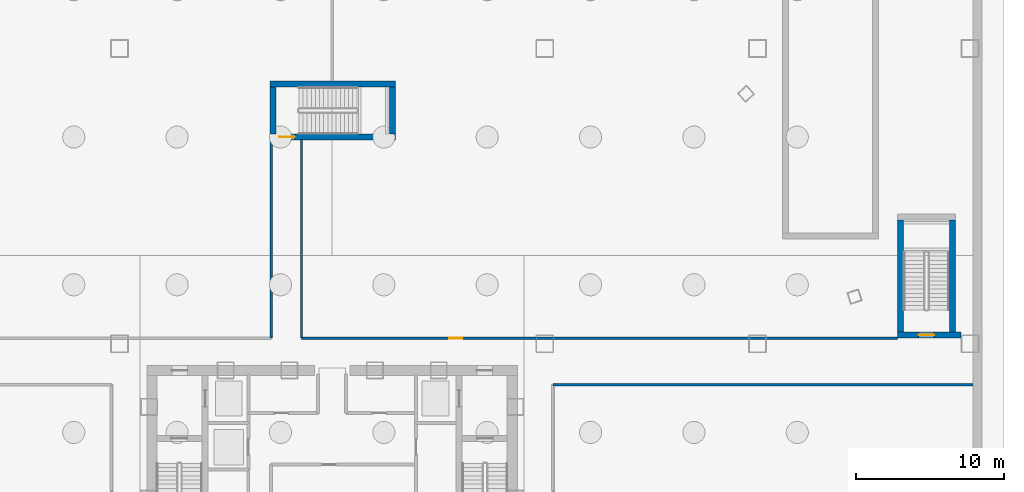
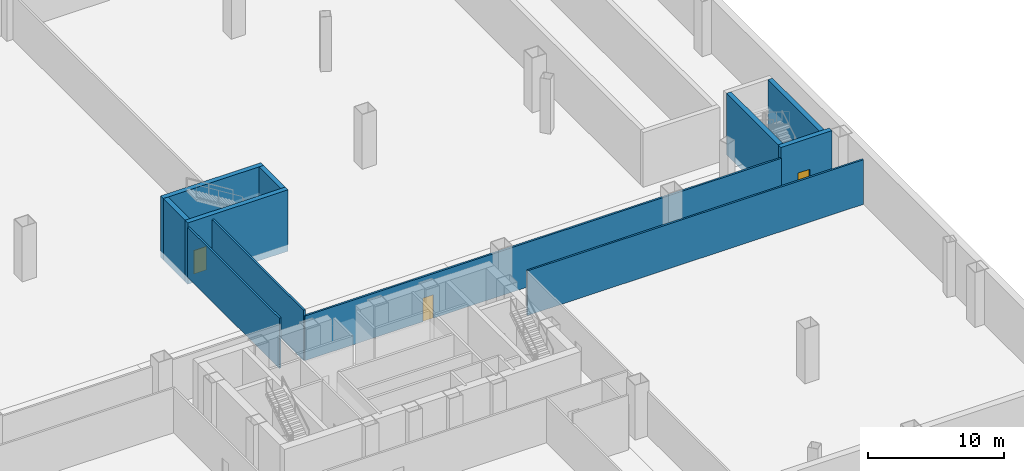
# One storey, part 10 of 15: 11 walls, 3 doors, 3 openings.
"""IFC4 building model written with IfcOpenShell, lengths in metres."""

from ifc_helpers import new_model, si_unit, direction, frame, frame_2d, origin, origin_with_axes, place, context, subcontext, project, spatial, rectangle, extrude, source, transform, mapped, material, layer, layer_set, type_object, element, fill, save


model = new_model("IFC4")

# Units and contexts
model_context = context("Model", 3, precision=1e-05, world=origin(), true_north=direction((0.0, 1.0)))
body_context = subcontext(model_context, "Body", "Model", "MODEL_VIEW")
ifc_project = project(units=[si_unit("LENGTHUNIT", "METRE"), si_unit("AREAUNIT", "SQUARE_METRE"), si_unit("VOLUMEUNIT", "CUBIC_METRE"), si_unit("PLANEANGLEUNIT", "RADIAN"), si_unit("MASSUNIT", "GRAM", prefix="KILO"), si_unit("THERMODYNAMICTEMPERATUREUNIT", "KELVIN"), si_unit("POWERUNIT", "WATT")], contexts=[model_context])

# Site, building, storey
site_placement = place(None, origin())
site = spatial("IfcSite", under=ifc_project, at=site_placement, CompositionType="ELEMENT")
building_placement = place(site_placement, origin())
building = spatial("IfcBuilding", under=site, at=building_placement, Name="Yunzhuo Pagoda Commons", CompositionType="ELEMENT")
storey_placement = place(building_placement, frame((0.0, 0.0, -10.0)))
storey = spatial("IfcBuildingStorey", under=building, at=storey_placement, Name="B02", CompositionType="ELEMENT", Elevation=-10.0)

# Wall
ifc_material_1 = material(Name="Gypsum plasterboard on acoustic stud")
ifc_layer_1 = layer(ifc_material_1, 0.159912109375)
ifc_layer_set_1 = layer_set([ifc_layer_1], Name="Gypsum plasterboard on acoustic stud")
wall_type_1 = type_object("IfcWallType", Name="W-COR1 Tower Rated Corridor Wall 160", PredefinedType="PARTITIONING", material=ifc_layer_set_1)
wall_1_placement = place(storey_placement, frame((62.949951171875, 39.219970703125, 0.0), z_axis=(0.0, 0.0, 1.0), x_axis=(1.0, 0.0, 0.0)))
element("IfcWall", 1, at=wall_1_placement, inside=storey, type_object=wall_type_1, Name="B02 interior wall IW-B02-PS4CE", PredefinedType="PARTITIONING", context=body_context, shape_type="SweptSolid", body=[
    extrude(rectangle(XDim=28.449951171875, YDim=0.159912109375, at=frame_2d((14.22509765625, 0.0))), origin(), (0.0, 0.0, 1.0), 4.0),
])

# Wall, opening, door
wall_2_placement = place(storey_placement, frame((45.919921875, 42.3798828125, 0.0), z_axis=(0.0, 0.0, 1.0), x_axis=(1.0, 0.0, 0.0)))
wall_2 = element("IfcWall", 2, at=wall_2_placement, inside=storey, type_object=wall_type_1, Name="B02 interior wall IW-B02-TANKS", PredefinedType="PARTITIONING", context=body_context, shape_type="SweptSolid", body=[
    extrude(rectangle(XDim=40.380126953125, YDim=0.159912109375, at=frame_2d((20.18994140625, 0.0))), origin(), (0.0, 0.0, 1.0), 4.0),
])
opening_1_placement = place(wall_2_placement, frame((10.0, 0.0, 0.0)))
opening_1 = element("IfcOpeningElement", 3, at=opening_1_placement, cuts=wall_2, Name="Opening D-03", PredefinedType="OPENING", context=body_context, shape_type="SweptSolid", body=[
    extrude(rectangle(XDim=0.89990234375, YDim=2.10009765625, at=frame_2d((0.449951171875, 1.050048828125))), frame((0.0, 0.08984375, 0.0), z_axis=(0.0, -1.0, 0.0), x_axis=(1.0, 0.0, 0.0)), (0.0, 0.0, 1.0), 0.179931640625),
])
ifc_material_2 = material(Name="Galvanized fire-resisting metal leaf")
door_type_1 = type_object("IfcDoorType", Name="D-03 Core Service Fire Door 900x2100", OperationType="NOTDEFINED", PredefinedType="DOOR", material=ifc_material_2)
shared_shape_1 = source(origin(), body_context, "Body", "SweptSolid", [
    extrude(rectangle(XDim=0.89990234375, YDim=2.10009765625, at=frame_2d((0.449951171875, 1.050048828125))), frame((0.0, 0.02490234375, 0.0), z_axis=(0.0, -1.0, 0.0), x_axis=(1.0, 0.0, 0.0)), (0.0, 0.0, 1.0), 0.050048828125),
])
door_1_placement = place(opening_1_placement, origin_with_axes())
door_1 = element("IfcDoor", 4, at=door_1_placement, inside=storey, type_object=door_type_1, Name="B02 Water Tank Room door", OperationType="SINGLE_SWING_RIGHT", OverallHeight=2.10009765625, OverallWidth=0.89990234375, PredefinedType="DOOR", context=body_context, shape_type="MappedRepresentation", body=[
    mapped(shared_shape_1, transform((0.0, 0.0, 0.0), scale=1.0)),
])
fill(opening_1, door_1)

# Walls
for number, where, z_axis, x_axis, name in (
    (5, (43.8798828125, 42.3798828125, 0.0), (0.0, 0.0, 1.0), (0.0, 1.0, 0.0), "B02 interior wall IW-B02-SPNW"),
    (6, (45.919921875, 42.3798828125, 0.0), (0.0, 0.0, 1.0), (0.0, 1.0, 0.0), "B02 interior wall IW-B02-SPNE"),
):
    element("IfcWall", number, at=place(storey_placement, frame(where, z_axis=z_axis, x_axis=x_axis)), inside=storey, type_object=wall_type_1, Name=name, PredefinedType="PARTITIONING", context=body_context, shape_type="SweptSolid", body=[
        extrude(rectangle(XDim=13.47021484375, YDim=0.159912109375, at=frame_2d((6.735107421875, 0.0))), origin(), (0.0, 0.0, 1.0), 4.5),
    ])

# Wall, opening, door
ifc_material_3 = material(Name="Concrete C60", Category="concrete")
ifc_layer_2 = layer(ifc_material_3, 0.39990234375)
ifc_layer_set_2 = layer_set([ifc_layer_2], Name="Concrete C60")
wall_type_2 = type_object("IfcWallType", Name="W-S01 Internal Core Shear Web 400", PredefinedType="SHEAR", material=ifc_layer_set_2)
wall_3_placement = place(storey_placement, frame((86.300048828125, 42.60009765625, -0.60009765625), z_axis=(0.0, 0.0, 1.0), x_axis=(1.0, 0.0, 0.0)))
wall_3 = element("IfcWall", 7, at=wall_3_placement, inside=storey, type_object=wall_type_2, Name="B02 PS4 structural stair wall S", PredefinedType="SHEAR", context=body_context, shape_type="SweptSolid", body=[
    extrude(rectangle(XDim=4.300048828125, YDim=0.39990234375, at=frame_2d((2.14990234375, 0.0))), origin(), (0.0, 0.0, 1.0), 5.5),
])
opening_2_placement = place(wall_3_placement, frame((1.419921875, 0.0, 0.60009765625)))
opening_2 = element("IfcOpeningElement", 8, at=opening_2_placement, cuts=wall_3, Name="Opening D-01", PredefinedType="OPENING", context=body_context, shape_type="SweptSolid", body=[
    extrude(rectangle(XDim=1.050048828125, YDim=2.10009765625, at=frame_2d((0.52490234375, 1.050048828125))), frame((0.0, 0.2099609375, 0.0), z_axis=(0.0, -1.0, 0.0), x_axis=(1.0, 0.0, 0.0)), (0.0, 0.0, 1.0), 0.419921875),
])
door_type_2 = type_object("IfcDoorType", Name="D-01 Smokeproof Stair Fire Door 1050x2100", OperationType="NOTDEFINED", PredefinedType="DOOR", material=ifc_material_2)
shared_shape_2 = source(origin(), body_context, "Body", "SweptSolid", [
    extrude(rectangle(XDim=1.050048828125, YDim=2.10009765625, at=frame_2d((0.52490234375, 1.050048828125))), frame((0.0, 0.02490234375, 0.0), z_axis=(0.0, -1.0, 0.0), x_axis=(1.0, 0.0, 0.0)), (0.0, 0.0, 1.0), 0.050048828125),
])
door_2_placement = place(opening_2_placement, frame((1.050048828125, 0.0, 0.0), z_axis=(0.0, 0.0, 1.0), x_axis=(-1.0, 0.0, 0.0)))
door_2 = element("IfcDoor", 9, at=door_2_placement, inside=storey, type_object=door_type_2, Name="B02 PS4 stair fire door", OperationType="SINGLE_SWING_RIGHT", OverallHeight=2.10009765625, OverallWidth=1.050048828125, PredefinedType="DOOR", context=body_context, shape_type="MappedRepresentation", body=[
    mapped(shared_shape_2, transform((0.0, 0.0, 0.0), scale=1.0)),
])
fill(opening_2, door_2)

# Walls
for number, where, z_axis, x_axis, name in (
    (10, (86.5, 42.800048828125, -0.60009765625), (0.0, 0.0, 1.0), (0.0, 1.0, 0.0), "B02 PS4 structural stair wall W"),
    (11, (90.0, 42.800048828125, -0.60009765625), (0.0, 0.0, 1.0), (0.0, 1.0, 0.0), "B02 PS4 structural stair wall E"),
):
    element("IfcWall", number, at=place(storey_placement, frame(where, z_axis=z_axis, x_axis=x_axis)), inside=storey, type_object=wall_type_2, Name=name, PredefinedType="SHEAR", context=body_context, shape_type="SweptSolid", body=[
        extrude(rectangle(XDim=7.599853515625, YDim=0.39990234375, at=frame_2d((3.7998046875, 0.0))), origin(), (0.0, 0.0, 1.0), 5.5),
    ])
wall_4_placement = place(storey_placement, frame((43.800048828125, 59.60009765625, -0.60009765625), z_axis=(0.0, 0.0, 1.0), x_axis=(1.0, 0.0, 0.0)))
element("IfcWall", 12, at=wall_4_placement, inside=storey, type_object=wall_type_2, Name="B02 ST3 structural stair wall N", PredefinedType="SHEAR", context=body_context, shape_type="SweptSolid", body=[
    extrude(rectangle(XDim=8.5, YDim=0.39990234375, at=frame_2d((4.25, 0.0))), origin(), (0.0, 0.0, 1.0), 5.5),
])

# Wall, opening, door
wall_5_placement = place(storey_placement, frame((43.800048828125, 56.0, -0.60009765625), z_axis=(0.0, 0.0, 1.0), x_axis=(1.0, 0.0, 0.0)))
wall_5 = element("IfcWall", 13, at=wall_5_placement, inside=storey, type_object=wall_type_2, Name="B02 ST3 structural stair wall S", PredefinedType="SHEAR", context=body_context, shape_type="SweptSolid", body=[
    extrude(rectangle(XDim=8.5, YDim=0.39990234375, at=frame_2d((4.25, 0.0))), origin(), (0.0, 0.0, 1.0), 5.5),
])
opening_3_placement = place(wall_5_placement, frame((0.6201171875, 0.0, 0.60009765625)))
opening_3 = element("IfcOpeningElement", 14, at=opening_3_placement, cuts=wall_5, Name="Opening D-01", PredefinedType="OPENING", context=body_context, shape_type="SweptSolid", body=[
    extrude(rectangle(XDim=1.050048828125, YDim=2.10009765625, at=frame_2d((0.52490234375, 1.050048828125))), frame((0.0, 0.2099609375, 0.0), z_axis=(0.0, -1.0, 0.0), x_axis=(1.0, 0.0, 0.0)), (0.0, 0.0, 1.0), 0.419921875),
])
door_3_placement = place(opening_3_placement, frame((1.050048828125, 0.0, 0.0), z_axis=(0.0, 0.0, 1.0), x_axis=(-1.0, 0.0, 0.0)))
door_3 = element("IfcDoor", 15, at=door_3_placement, inside=storey, type_object=door_type_2, Name="B02 Stair ST3 fire door", OperationType="SINGLE_SWING_LEFT", OverallHeight=2.10009765625, OverallWidth=1.050048828125, PredefinedType="DOOR", context=body_context, shape_type="MappedRepresentation", body=[
    mapped(shared_shape_2, transform((0.0, 0.0, 0.0), scale=1.0)),
])
fill(opening_3, door_3)

# Walls
for number, where, z_axis, x_axis, name in (
    (16, (44.0, 56.199951171875, -0.60009765625), (0.0, 0.0, 1.0), (0.0, 1.0, 0.0), "B02 ST3 structural stair wall W"),
    (17, (52.10009765625, 56.199951171875, -0.60009765625), (0.0, 0.0, 1.0), (0.0, 1.0, 0.0), "B02 ST3 structural stair wall E"),
):
    element("IfcWall", number, at=place(storey_placement, frame(where, z_axis=z_axis, x_axis=x_axis)), inside=storey, type_object=wall_type_2, Name=name, PredefinedType="SHEAR", context=body_context, shape_type="SweptSolid", body=[
        extrude(rectangle(XDim=3.199951171875, YDim=0.39990234375, at=frame_2d((1.60009765625, 0.0))), origin(), (0.0, 0.0, 1.0), 5.5),
    ])

save(model, "model.ifc")
